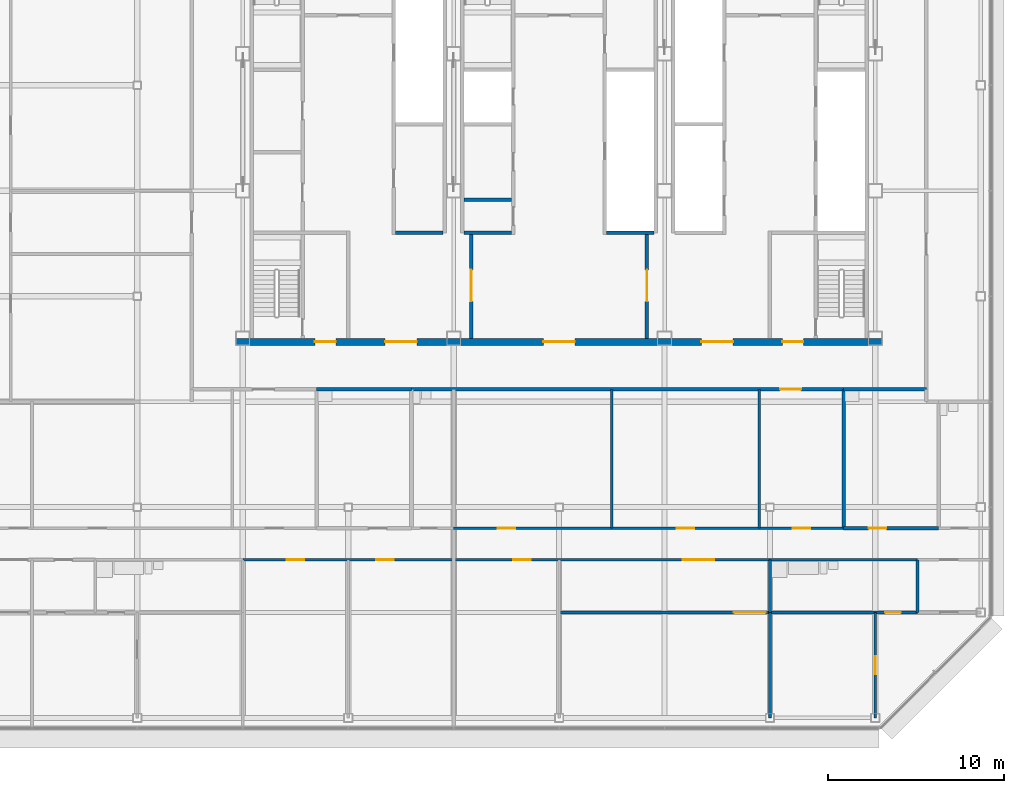
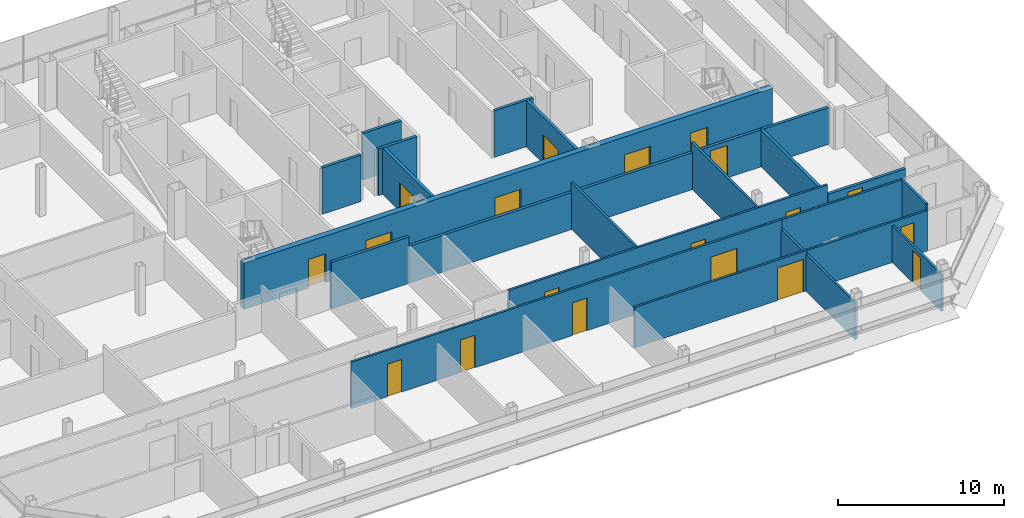
# One storey, part 22 of 27: 23 walls, 19 doors, 19 openings.
"""IFC4 building model written with IfcOpenShell, lengths in metres."""

from ifc_helpers import new_model, si_unit, direction, frame, frame_2d, origin, place, context, subcontext, project, spatial, rectangle, extrude, material, layer, layer_set, type_object, element, fill, save


model = new_model("IFC4")

# Units and contexts
model_context = context("Model", 3, precision=1e-05, world=origin(), true_north=direction((0.0, 1.0)))
body_context = subcontext(model_context, "Body", "Model", "MODEL_VIEW")
ifc_project = project(units=[si_unit("LENGTHUNIT", "METRE"), si_unit("AREAUNIT", "SQUARE_METRE"), si_unit("VOLUMEUNIT", "CUBIC_METRE"), si_unit("PLANEANGLEUNIT", "RADIAN"), si_unit("MASSUNIT", "GRAM", prefix="KILO")], contexts=[model_context])

# Site, building, storey
site_placement = place(None, origin())
site = spatial("IfcSite", under=ifc_project, at=site_placement, CompositionType="ELEMENT")
building_placement = place(site_placement, origin())
building = spatial("IfcBuilding", under=site, at=building_placement, Name="Sorahane Residences", CompositionType="ELEMENT")
storey_placement = place(building_placement, frame((0.0, 0.0, 312.39990234375)))
storey = spatial("IfcBuildingStorey", under=building, at=storey_placement, Name="L74", CompositionType="ELEMENT", Elevation=312.39990234375)

# Wall, opening, door
ifc_material_1 = material(Name="Concrete blockwork C20 wall", Category="masonry")
ifc_layer_1 = layer(ifc_material_1, 0.199951171875)
ifc_layer_set_1 = layer_set([ifc_layer_1], Name="Corridor wall 200 EI 120")
wall_type_1 = type_object("IfcWallType", Name="Corridor wall 200 EI 120", PredefinedType="SOLIDWALL", material=ifc_layer_set_1)
wall_1_placement = place(storey_placement, frame((15.60009765625, 18.699951171875, 0.0), z_axis=(0.0, 0.0, 1.0), x_axis=(1.0, 0.0, 0.0)))
wall_1 = element("IfcWall", 1, at=wall_1_placement, inside=storey, type_object=wall_type_1, Name="L74 corridor wall", PredefinedType="SOLIDWALL", context=body_context, shape_type="SweptSolid", body=[
    extrude(rectangle(XDim=24.599853515625, YDim=0.199951171875, at=frame_2d((12.2998046875, 0.0))), origin(), (0.0, 0.0, 1.0), 2.72021484375),
])
opening_1_placement = place(wall_1_placement, frame((20.97998046875, 0.0, 0.0)))
opening_1 = element("IfcOpeningElement", 2, at=opening_1_placement, cuts=wall_1, Name="Opening L74-39", PredefinedType="OPENING", context=body_context, shape_type="SweptSolid", body=[
    extrude(rectangle(XDim=1.199951171875, YDim=2.39990234375, at=frame_2d((0.60009765625, 1.199951171875))), frame((0.0, 0.10986328125, 0.0), z_axis=(0.0, -1.0, 0.0), x_axis=(1.0, 0.0, 0.0)), (0.0, 0.0, 1.0), 0.219970703125),
])
ifc_material_2 = material(Name="Timber veneered fire door", Category="wood")
door_type_1 = type_object("IfcDoorType", Name="Flat entrance door 1200x2400 FD60", OperationType="NOTDEFINED", PredefinedType="DOOR", material=ifc_material_2)
door_1_placement = place(opening_1_placement, frame((1.199951171875, 0.0, 0.0), z_axis=(0.0, 0.0, 1.0), x_axis=(-1.0, 0.0, 0.0)))
door_1 = element("IfcDoor", 3, at=door_1_placement, inside=storey, type_object=door_type_1, Name="Flat entrance door L74-39", OperationType="SINGLE_SWING_RIGHT", OverallHeight=2.39990234375, OverallWidth=1.199951171875, PredefinedType="DOOR", context=body_context, shape_type="SweptSolid", body=[
    extrude(rectangle(XDim=1.199951171875, YDim=2.39990234375, at=frame_2d((0.60009765625, 1.199951171875))), frame((0.0, 0.02490234375, 0.0), z_axis=(0.0, -1.0, 0.0), x_axis=(1.0, 0.0, 0.0)), (0.0, 0.0, 1.0), 0.050048828125),
])
fill(opening_1, door_1)

# Wall
ifc_material_3 = material(Name="Concrete blockwork C20 wall", Category="masonry")
ifc_layer_2 = layer(ifc_material_3, 0.199951171875)
ifc_layer_set_2 = layer_set([ifc_layer_2], Name="Kitchen wall 200 EI 180")
wall_type_2 = type_object("IfcWallType", Name="Kitchen wall 200 EI 180", PredefinedType="SOLIDWALL", material=ifc_layer_set_2)
wall_2_placement = place(storey_placement, frame((40.199951171875, 10.800048828125, 0.0), z_axis=(0.0, 0.0, 1.0), x_axis=(0.0, 1.0, 0.0)))
element("IfcWall", 4, at=wall_2_placement, inside=storey, type_object=wall_type_2, Name="L74 kitchen wall", PredefinedType="SOLIDWALL", context=body_context, shape_type="SweptSolid", body=[
    extrude(rectangle(XDim=7.89990234375, YDim=0.199951171875, at=frame_2d((3.949951171875, 0.0))), origin(), (0.0, 0.0, 1.0), 2.72021484375),
])

# Wall, opening, door
wall_3_placement = place(storey_placement, frame((40.199951171875, 10.800048828125, 0.0), z_axis=(0.0, 0.0, 1.0), x_axis=(1.0, 0.0, 0.0)))
wall_3 = element("IfcWall", 5, at=wall_3_placement, inside=storey, type_object=wall_type_2, Name="L74 kitchen wall", PredefinedType="SOLIDWALL", context=body_context, shape_type="SweptSolid", body=[
    extrude(rectangle(XDim=5.400146484375, YDim=0.199951171875, at=frame_2d((2.7001953125, 0.0))), origin(), (0.0, 0.0, 1.0), 2.72021484375),
])
opening_2_placement = place(wall_3_placement, frame((1.419921875, 0.0, 0.0)))
opening_2 = element("IfcOpeningElement", 6, at=opening_2_placement, cuts=wall_3, Name="Opening L74-17", PredefinedType="OPENING", context=body_context, shape_type="SweptSolid", body=[
    extrude(rectangle(XDim=1.0, YDim=2.39990234375, at=frame_2d((0.5, 1.199951171875))), frame((0.0, 0.10986328125, 0.0), z_axis=(0.0, -1.0, 0.0), x_axis=(1.0, 0.0, 0.0)), (0.0, 0.0, 1.0), 0.219970703125),
])
ifc_material_4 = material(Name="Steel", Category="steel")
door_type_2 = type_object("IfcDoorType", Name="Kitchen door 1000x2400 FD120", OperationType="NOTDEFINED", PredefinedType="DOOR", material=ifc_material_4)
door_2_placement = place(opening_2_placement, origin())
door_2 = element("IfcDoor", 7, at=door_2_placement, inside=storey, type_object=door_type_2, Name="Kitchen door L74-17", OperationType="SINGLE_SWING_RIGHT", OverallHeight=2.39990234375, OverallWidth=1.0, PredefinedType="DOOR", context=body_context, shape_type="SweptSolid", body=[
    extrude(rectangle(XDim=1.0, YDim=2.39990234375, at=frame_2d((0.5, 1.199951171875))), frame((0.0, 0.02490234375, 0.0), z_axis=(0.0, -1.0, 0.0), x_axis=(1.0, 0.0, 0.0)), (0.0, 0.0, 1.0), 0.050048828125),
])
fill(opening_2, door_2)

# Walls
wall_4_placement = place(storey_placement, frame((10.199951171875, 18.699951171875, 0.0), z_axis=(0.0, 0.0, 1.0), x_axis=(1.0, 0.0, 0.0)))
element("IfcWall", 8, at=wall_4_placement, inside=storey, type_object=wall_type_2, Name="L74 kitchen wall", PredefinedType="SOLIDWALL", context=body_context, shape_type="SweptSolid", body=[
    extrude(rectangle(XDim=5.400146484375, YDim=0.199951171875, at=frame_2d((2.7001953125, 0.0))), origin(), (0.0, 0.0, 1.0), 3.420166015625),
])
wall_5_placement = place(storey_placement, frame((40.199951171875, 18.699951171875, 0.0), z_axis=(0.0, 0.0, 1.0), x_axis=(1.0, 0.0, 0.0)))
element("IfcWall", 9, at=wall_5_placement, inside=storey, type_object=wall_type_2, Name="L74 kitchen wall", PredefinedType="SOLIDWALL", context=body_context, shape_type="SweptSolid", body=[
    extrude(rectangle(XDim=4.699951171875, YDim=0.199951171875, at=frame_2d((2.35009765625, 0.0))), origin(), (0.0, 0.0, 1.0), 2.72021484375),
])
ifc_material_5 = material(Name="Gypsum board partition on steel studs", Category="steel")
ifc_layer_3 = layer(ifc_material_5, 0.14990234375)
ifc_layer_set_3 = layer_set([ifc_layer_3], Name="Partition 150 EI 90")
wall_type_3 = type_object("IfcWallType", Name="Partition 150 EI 90", PredefinedType="PARTITIONING", material=ifc_layer_set_3)
for number, where, z_axis, x_axis, name in (
    (10, (27.0, 10.800048828125, 0.0), (0.0, 0.0, 1.0), (0.0, 1.0, 0.0), "L74 partition"),
    (11, (35.39990234375, 10.800048828125, 0.0), (0.0, 0.0, 1.0), (0.0, 1.0, 0.0), "L74 partition"),
):
    element("IfcWall", number, at=place(storey_placement, frame(where, z_axis=z_axis, x_axis=x_axis)), inside=storey, type_object=wall_type_3, Name=name, PredefinedType="PARTITIONING", context=body_context, shape_type="SweptSolid", body=[
        extrude(rectangle(XDim=7.89990234375, YDim=0.14990234375, at=frame_2d((3.949951171875, 0.0))), origin(), (0.0, 0.0, 1.0), 3.420166015625),
    ])
wall_6_placement = place(storey_placement, frame((36.0, 0.0, 0.0), z_axis=(0.0, 0.0, 1.0), x_axis=(0.0, 1.0, 0.0)))
element("IfcWall", 12, at=wall_6_placement, inside=storey, type_object=wall_type_3, Name="L74 partition", PredefinedType="PARTITIONING", context=body_context, shape_type="SweptSolid", body=[
    extrude(rectangle(XDim=6.0, YDim=0.14990234375, at=frame_2d((3.0, 0.0))), origin(), (0.0, 0.0, 1.0), 2.72021484375),
])

# Wall, opening, door
wall_7_placement = place(storey_placement, frame((42.0, 0.0, 0.0), z_axis=(0.0, 0.0, 1.0), x_axis=(0.0, 1.0, 0.0)))
wall_7 = element("IfcWall", 13, at=wall_7_placement, inside=storey, type_object=wall_type_3, Name="L74 partition", PredefinedType="PARTITIONING", context=body_context, shape_type="SweptSolid", body=[
    extrude(rectangle(XDim=6.0, YDim=0.14990234375, at=frame_2d((3.0, 0.0))), origin(), (0.0, 0.0, 1.0), 2.72021484375),
])
opening_3_placement = place(wall_7_placement, frame((2.5, 0.0, 0.0)))
opening_3 = element("IfcOpeningElement", 14, at=opening_3_placement, cuts=wall_7, Name="Opening L74-24", PredefinedType="OPENING", context=body_context, shape_type="SweptSolid", body=[
    extrude(rectangle(XDim=1.0, YDim=2.39990234375, at=frame_2d((0.5, 1.199951171875))), frame((0.0, 0.0849609375, 0.0), z_axis=(0.0, -1.0, 0.0), x_axis=(1.0, 0.0, 0.0)), (0.0, 0.0, 1.0), 0.169921875),
])
ifc_material_6 = material(Name="Timber veneered fire door", Category="wood")
door_type_3 = type_object("IfcDoorType", Name="Room door 1000x2400 FD30", OperationType="NOTDEFINED", PredefinedType="DOOR", material=ifc_material_6)
door_3_placement = place(opening_3_placement, origin())
door_3 = element("IfcDoor", 15, at=door_3_placement, inside=storey, type_object=door_type_3, Name="Room door L74-24", OperationType="SINGLE_SWING_LEFT", OverallHeight=2.39990234375, OverallWidth=1.0, PredefinedType="DOOR", context=body_context, shape_type="SweptSolid", body=[
    extrude(rectangle(XDim=1.0, YDim=2.39990234375, at=frame_2d((0.5, 1.199951171875))), frame((0.0, 0.02490234375, 0.0), z_axis=(0.0, -1.0, 0.0), x_axis=(1.0, 0.0, 0.0)), (0.0, 0.0, 1.0), 0.050048828125),
])
fill(opening_3, door_3)

# Wall, openings, doors
wall_8_placement = place(storey_placement, frame((18.0, 10.800048828125, 0.0), z_axis=(0.0, 0.0, 1.0), x_axis=(1.0, 0.0, 0.0)))
wall_8 = element("IfcWall", 16, at=wall_8_placement, inside=storey, type_object=wall_type_3, Name="L74 partition", PredefinedType="PARTITIONING", context=body_context, shape_type="SweptSolid", body=[
    extrude(rectangle(XDim=22.199951171875, YDim=0.14990234375, at=frame_2d((11.10009765625, 0.0))), origin(), (0.0, 0.0, 1.0), 3.420166015625),
])
opening_4_placement = place(wall_8_placement, frame((19.300048828125, 0.0, 0.0)))
opening_4 = element("IfcOpeningElement", 17, at=opening_4_placement, cuts=wall_8, Name="Opening L74-14", PredefinedType="OPENING", context=body_context, shape_type="SweptSolid", body=[
    extrude(rectangle(XDim=1.0, YDim=2.39990234375, at=frame_2d((0.5, 1.199951171875))), frame((0.0, 0.0849609375, 0.0), z_axis=(0.0, -1.0, 0.0), x_axis=(1.0, 0.0, 0.0)), (0.0, 0.0, 1.0), 0.169921875),
])
opening_5_placement = place(wall_8_placement, frame((2.5, 0.0, 0.0)))
opening_5 = element("IfcOpeningElement", 18, at=opening_5_placement, cuts=wall_8, Name="Opening L74-15", PredefinedType="OPENING", context=body_context, shape_type="SweptSolid", body=[
    extrude(rectangle(XDim=1.0, YDim=2.39990234375, at=frame_2d((0.5, 1.199951171875))), frame((0.0, 0.0849609375, 0.0), z_axis=(0.0, -1.0, 0.0), x_axis=(1.0, 0.0, 0.0)), (0.0, 0.0, 1.0), 0.169921875),
])
opening_6_placement = place(wall_8_placement, frame((12.699951171875, 0.0, 0.0)))
opening_6 = element("IfcOpeningElement", 19, at=opening_6_placement, cuts=wall_8, Name="Opening L74-16", PredefinedType="OPENING", context=body_context, shape_type="SweptSolid", body=[
    extrude(rectangle(XDim=1.0, YDim=2.39990234375, at=frame_2d((0.5, 1.199951171875))), frame((0.0, 0.0849609375, 0.0), z_axis=(0.0, -1.0, 0.0), x_axis=(1.0, 0.0, 0.0)), (0.0, 0.0, 1.0), 0.169921875),
])
door_4_placement = place(opening_4_placement, frame((1.0, 0.0, 0.0), z_axis=(0.0, 0.0, 1.0), x_axis=(-1.0, 0.0, 0.0)))
door_4 = element("IfcDoor", 20, at=door_4_placement, inside=storey, type_object=door_type_3, Name="Room door L74-14", OperationType="SINGLE_SWING_LEFT", OverallHeight=2.39990234375, OverallWidth=1.0, PredefinedType="DOOR", context=body_context, shape_type="SweptSolid", body=[
    extrude(rectangle(XDim=1.0, YDim=2.39990234375, at=frame_2d((0.5, 1.199951171875))), frame((0.0, 0.02490234375, 0.0), z_axis=(0.0, -1.0, 0.0), x_axis=(1.0, 0.0, 0.0)), (0.0, 0.0, 1.0), 0.050048828125),
])
fill(opening_4, door_4)
door_5_placement = place(opening_5_placement, origin())
door_5 = element("IfcDoor", 21, at=door_5_placement, inside=storey, type_object=door_type_3, Name="Room door L74-15", OperationType="SINGLE_SWING_LEFT", OverallHeight=2.39990234375, OverallWidth=1.0, PredefinedType="DOOR", context=body_context, shape_type="SweptSolid", body=[
    extrude(rectangle(XDim=1.0, YDim=2.39990234375, at=frame_2d((0.5, 1.199951171875))), frame((0.0, 0.02490234375, 0.0), z_axis=(0.0, -1.0, 0.0), x_axis=(1.0, 0.0, 0.0)), (0.0, 0.0, 1.0), 0.050048828125),
])
fill(opening_5, door_5)
door_6_placement = place(opening_6_placement, origin())
door_6 = element("IfcDoor", 22, at=door_6_placement, inside=storey, type_object=door_type_3, Name="Room door L74-16", OperationType="SINGLE_SWING_LEFT", OverallHeight=2.39990234375, OverallWidth=1.0, PredefinedType="DOOR", context=body_context, shape_type="SweptSolid", body=[
    extrude(rectangle(XDim=1.0, YDim=2.39990234375, at=frame_2d((0.5, 1.199951171875))), frame((0.0, 0.02490234375, 0.0), z_axis=(0.0, -1.0, 0.0), x_axis=(1.0, 0.0, 0.0)), (0.0, 0.0, 1.0), 0.050048828125),
])
fill(opening_6, door_6)

# Wall, opening, door
wall_9_placement = place(storey_placement, frame((24.0, 6.0, 0.0), z_axis=(0.0, 0.0, 1.0), x_axis=(1.0, 0.0, 0.0)))
wall_9 = element("IfcWall", 23, at=wall_9_placement, inside=storey, type_object=wall_type_3, Name="L74 partition", PredefinedType="PARTITIONING", context=body_context, shape_type="SweptSolid", body=[
    extrude(rectangle(XDim=12.0, YDim=0.14990234375, at=frame_2d((6.0, 0.0))), origin(), (0.0, 0.0, 1.0), 2.97021484375),
])
opening_7_placement = place(wall_9_placement, frame((9.949951171875, 0.0, 0.0)))
opening_7 = element("IfcOpeningElement", 24, at=opening_7_placement, cuts=wall_9, Name="Opening L74-22", PredefinedType="OPENING", context=body_context, shape_type="SweptSolid", body=[
    extrude(rectangle(XDim=1.800048828125, YDim=2.39990234375, at=frame_2d((0.89990234375, 1.199951171875))), frame((0.0, 0.0849609375, 0.0), z_axis=(0.0, -1.0, 0.0), x_axis=(1.0, 0.0, 0.0)), (0.0, 0.0, 1.0), 0.169921875),
])
ifc_material_7 = material(Name="Timber veneered fire door", Category="wood")
door_type_4 = type_object("IfcDoorType", Name="Double door 1800x2400 FD30", OperationType="NOTDEFINED", PredefinedType="DOOR", material=ifc_material_7)
door_7_placement = place(opening_7_placement, frame((1.800048828125, 0.0, 0.0), z_axis=(0.0, 0.0, 1.0), x_axis=(-1.0, 0.0, 0.0)))
door_7 = element("IfcDoor", 25, at=door_7_placement, inside=storey, type_object=door_type_4, Name="Double door L74-22", OperationType="SINGLE_SWING_LEFT", OverallHeight=2.39990234375, OverallWidth=1.800048828125, PredefinedType="DOOR", context=body_context, shape_type="SweptSolid", body=[
    extrude(rectangle(XDim=1.800048828125, YDim=2.39990234375, at=frame_2d((0.89990234375, 1.199951171875))), frame((0.0, 0.02490234375, 0.0), z_axis=(0.0, -1.0, 0.0), x_axis=(1.0, 0.0, 0.0)), (0.0, 0.0, 1.0), 0.050048828125),
])
fill(opening_7, door_7)

# Wall, openings, doors
wall_10_placement = place(storey_placement, frame((6.0, 9.0, 0.0), z_axis=(0.0, 0.0, 1.0), x_axis=(1.0, 0.0, 0.0)))
wall_10 = element("IfcWall", 26, at=wall_10_placement, inside=storey, type_object=wall_type_3, Name="L74 partition", PredefinedType="PARTITIONING", context=body_context, shape_type="SweptSolid", body=[
    extrude(rectangle(XDim=30.0, YDim=0.14990234375, at=frame_2d((15.0, 0.0))), origin(), (0.0, 0.0, 1.0), 3.420166015625),
])
opening_8_placement = place(wall_10_placement, frame((2.5, 0.0, 0.0)))
opening_8 = element("IfcOpeningElement", 27, at=opening_8_placement, cuts=wall_10, Name="Opening L74-08", PredefinedType="OPENING", context=body_context, shape_type="SweptSolid", body=[
    extrude(rectangle(XDim=1.0, YDim=2.39990234375, at=frame_2d((0.5, 1.199951171875))), frame((0.0, 0.0849609375, 0.0), z_axis=(0.0, -1.0, 0.0), x_axis=(1.0, 0.0, 0.0)), (0.0, 0.0, 1.0), 0.169921875),
])
opening_9_placement = place(wall_10_placement, frame((7.60009765625, 0.0, 0.0)))
opening_9 = element("IfcOpeningElement", 28, at=opening_9_placement, cuts=wall_10, Name="Opening L74-09", PredefinedType="OPENING", context=body_context, shape_type="SweptSolid", body=[
    extrude(rectangle(XDim=1.0, YDim=2.39990234375, at=frame_2d((0.5, 1.199951171875))), frame((0.0, 0.0849609375, 0.0), z_axis=(0.0, -1.0, 0.0), x_axis=(1.0, 0.0, 0.0)), (0.0, 0.0, 1.0), 0.169921875),
])
opening_10_placement = place(wall_10_placement, frame((15.39990234375, 0.0, 0.0)))
opening_10 = element("IfcOpeningElement", 29, at=opening_10_placement, cuts=wall_10, Name="Opening L74-19", PredefinedType="OPENING", context=body_context, shape_type="SweptSolid", body=[
    extrude(rectangle(XDim=1.0, YDim=2.39990234375, at=frame_2d((0.5, 1.199951171875))), frame((0.0, 0.0849609375, 0.0), z_axis=(0.0, -1.0, 0.0), x_axis=(1.0, 0.0, 0.0)), (0.0, 0.0, 1.0), 0.169921875),
])
opening_11_placement = place(wall_10_placement, frame((25.0400390625, 0.0, 0.0)))
opening_11 = element("IfcOpeningElement", 30, at=opening_11_placement, cuts=wall_10, Name="Opening L74-20", PredefinedType="OPENING", context=body_context, shape_type="SweptSolid", body=[
    extrude(rectangle(XDim=1.800048828125, YDim=2.39990234375, at=frame_2d((0.89990234375, 1.199951171875))), frame((0.0, 0.0849609375, 0.0), z_axis=(0.0, -1.0, 0.0), x_axis=(1.0, 0.0, 0.0)), (0.0, 0.0, 1.0), 0.169921875),
])
door_8_placement = place(opening_11_placement, frame((1.800048828125, 0.0, 0.0), z_axis=(0.0, 0.0, 1.0), x_axis=(-1.0, 0.0, 0.0)))
door_8 = element("IfcDoor", 31, at=door_8_placement, inside=storey, type_object=door_type_4, Name="Double door L74-20", OperationType="SINGLE_SWING_RIGHT", OverallHeight=2.39990234375, OverallWidth=1.800048828125, PredefinedType="DOOR", context=body_context, shape_type="SweptSolid", body=[
    extrude(rectangle(XDim=1.800048828125, YDim=2.39990234375, at=frame_2d((0.89990234375, 1.199951171875))), frame((0.0, 0.02490234375, 0.0), z_axis=(0.0, -1.0, 0.0), x_axis=(1.0, 0.0, 0.0)), (0.0, 0.0, 1.0), 0.050048828125),
])
fill(opening_11, door_8)
door_9_placement = place(opening_8_placement, frame((1.0, 0.0, 0.0), z_axis=(0.0, 0.0, 1.0), x_axis=(-1.0, 0.0, 0.0)))
door_9 = element("IfcDoor", 32, at=door_9_placement, inside=storey, type_object=door_type_3, Name="Room door L74-08", OperationType="SINGLE_SWING_LEFT", OverallHeight=2.39990234375, OverallWidth=1.0, PredefinedType="DOOR", context=body_context, shape_type="SweptSolid", body=[
    extrude(rectangle(XDim=1.0, YDim=2.39990234375, at=frame_2d((0.5, 1.199951171875))), frame((0.0, 0.02490234375, 0.0), z_axis=(0.0, -1.0, 0.0), x_axis=(1.0, 0.0, 0.0)), (0.0, 0.0, 1.0), 0.050048828125),
])
fill(opening_8, door_9)
door_10_placement = place(opening_9_placement, frame((1.0, 0.0, 0.0), z_axis=(0.0, 0.0, 1.0), x_axis=(-1.0, 0.0, 0.0)))
door_10 = element("IfcDoor", 33, at=door_10_placement, inside=storey, type_object=door_type_3, Name="Room door L74-09", OperationType="SINGLE_SWING_RIGHT", OverallHeight=2.39990234375, OverallWidth=1.0, PredefinedType="DOOR", context=body_context, shape_type="SweptSolid", body=[
    extrude(rectangle(XDim=1.0, YDim=2.39990234375, at=frame_2d((0.5, 1.199951171875))), frame((0.0, 0.02490234375, 0.0), z_axis=(0.0, -1.0, 0.0), x_axis=(1.0, 0.0, 0.0)), (0.0, 0.0, 1.0), 0.050048828125),
])
fill(opening_9, door_10)
door_11_placement = place(opening_10_placement, frame((1.0, 0.0, 0.0), z_axis=(0.0, 0.0, 1.0), x_axis=(-1.0, 0.0, 0.0)))
door_11 = element("IfcDoor", 34, at=door_11_placement, inside=storey, type_object=door_type_3, Name="Room door L74-19", OperationType="SINGLE_SWING_LEFT", OverallHeight=2.39990234375, OverallWidth=1.0, PredefinedType="DOOR", context=body_context, shape_type="SweptSolid", body=[
    extrude(rectangle(XDim=1.0, YDim=2.39990234375, at=frame_2d((0.5, 1.199951171875))), frame((0.0, 0.02490234375, 0.0), z_axis=(0.0, -1.0, 0.0), x_axis=(1.0, 0.0, 0.0)), (0.0, 0.0, 1.0), 0.050048828125),
])
fill(opening_10, door_11)

# Wall
ifc_material_8 = material(Name="Concrete C30", Category="concrete")
ifc_layer_4 = layer(ifc_material_8, 0.199951171875)
ifc_layer_set_4 = layer_set([ifc_layer_4], Name="Riser shaft wall 200 EI 120")
wall_type_4 = type_object("IfcWallType", Name="Riser shaft wall 200 EI 120", PredefinedType="SOLIDWALL", material=ifc_layer_set_4)
wall_11_placement = place(storey_placement, frame((26.699951171875, 27.60009765625, 0.0), z_axis=(0.0, 0.0, 1.0), x_axis=(1.0, 0.0, 0.0)))
element("IfcWall", 35, at=wall_11_placement, inside=storey, type_object=wall_type_4, Name="L74 riser wall", PredefinedType="SOLIDWALL", context=body_context, shape_type="SweptSolid", body=[
    extrude(rectangle(XDim=2.699951171875, YDim=0.199951171875, at=frame_2d((1.35009765625, 0.0))), origin(), (0.0, 0.0, 1.0), 3.420166015625),
])

# Wall, opening, door
ifc_material_9 = material(Name="Concrete C30", Category="concrete")
ifc_layer_5 = layer(ifc_material_9, 0.199951171875)
ifc_layer_set_5 = layer_set([ifc_layer_5], Name="Service room partition 200 EI 60")
wall_type_5 = type_object("IfcWallType", Name="Service room partition 200 EI 60", PredefinedType="PARTITIONING", material=ifc_layer_set_5)
wall_12_placement = place(storey_placement, frame((19.0, 21.60009765625, 0.0), z_axis=(0.0, 0.0, 1.0), x_axis=(0.0, 1.0, 0.0)))
wall_12 = element("IfcWall", 36, at=wall_12_placement, inside=storey, type_object=wall_type_5, Name="L74 service room wall", PredefinedType="PARTITIONING", context=body_context, shape_type="SweptSolid", body=[
    extrude(rectangle(XDim=6.0, YDim=0.199951171875, at=frame_2d((3.0, 0.0))), origin(), (0.0, 0.0, 1.0), 3.420166015625),
])
opening_12_placement = place(wall_12_placement, frame((2.10009765625, 0.0, 0.0)))
opening_12 = element("IfcOpeningElement", 37, at=opening_12_placement, cuts=wall_12, Name="Opening L74-C02", PredefinedType="OPENING", context=body_context, shape_type="SweptSolid", body=[
    extrude(rectangle(XDim=1.800048828125, YDim=2.10009765625, at=frame_2d((0.89990234375, 1.050048828125))), frame((0.0, 0.10986328125, 0.0), z_axis=(0.0, -1.0, 0.0), x_axis=(1.0, 0.0, 0.0)), (0.0, 0.0, 1.0), 0.219970703125),
])
ifc_material_10 = material(Name="Steel", Category="steel")
door_type_5 = type_object("IfcDoorType", Name="Waiting hall door 1800x2100 FD60", OperationType="NOTDEFINED", PredefinedType="DOOR", material=ifc_material_10)
door_12_placement = place(opening_12_placement, origin())
door_12 = element("IfcDoor", 38, at=door_12_placement, inside=storey, type_object=door_type_5, Name="Waiting hall door Residents' waiting hall west L74", OperationType="SINGLE_SWING_LEFT", OverallHeight=2.10009765625, OverallWidth=1.800048828125, PredefinedType="DOOR", context=body_context, shape_type="SweptSolid", body=[
    extrude(rectangle(XDim=1.800048828125, YDim=2.10009765625, at=frame_2d((0.89990234375, 1.050048828125))), frame((0.0, 0.02490234375, 0.0), z_axis=(0.0, -1.0, 0.0), x_axis=(1.0, 0.0, 0.0)), (0.0, 0.0, 1.0), 0.050048828125),
])
fill(opening_12, door_12)

wall_13_placement = place(storey_placement, frame((29.0, 21.60009765625, 0.0), z_axis=(0.0, 0.0, 1.0), x_axis=(0.0, 1.0, 0.0)))
wall_13 = element("IfcWall", 39, at=wall_13_placement, inside=storey, type_object=wall_type_5, Name="L74 service room wall", PredefinedType="PARTITIONING", context=body_context, shape_type="SweptSolid", body=[
    extrude(rectangle(XDim=6.0, YDim=0.199951171875, at=frame_2d((3.0, 0.0))), origin(), (0.0, 0.0, 1.0), 3.420166015625),
])
opening_13_placement = place(wall_13_placement, frame((2.10009765625, 0.0, 0.0)))
opening_13 = element("IfcOpeningElement", 40, at=opening_13_placement, cuts=wall_13, Name="Opening L74-C04", PredefinedType="OPENING", context=body_context, shape_type="SweptSolid", body=[
    extrude(rectangle(XDim=1.800048828125, YDim=2.10009765625, at=frame_2d((0.89990234375, 1.050048828125))), frame((0.0, 0.10986328125, 0.0), z_axis=(0.0, -1.0, 0.0), x_axis=(1.0, 0.0, 0.0)), (0.0, 0.0, 1.0), 0.219970703125),
])
door_13_placement = place(opening_13_placement, origin())
door_13 = element("IfcDoor", 41, at=door_13_placement, inside=storey, type_object=door_type_5, Name="Waiting hall door Residents' waiting hall centre L74", OperationType="SINGLE_SWING_LEFT", OverallHeight=2.10009765625, OverallWidth=1.800048828125, PredefinedType="DOOR", context=body_context, shape_type="SweptSolid", body=[
    extrude(rectangle(XDim=1.800048828125, YDim=2.10009765625, at=frame_2d((0.89990234375, 1.050048828125))), frame((0.0, 0.02490234375, 0.0), z_axis=(0.0, -1.0, 0.0), x_axis=(1.0, 0.0, 0.0)), (0.0, 0.0, 1.0), 0.050048828125),
])
fill(opening_13, door_13)

# Walls
for number, where, z_axis, x_axis, name in (
    (42, (14.699951171875, 27.60009765625, 0.0), (0.0, 0.0, 1.0), (1.0, 0.0, 0.0), "L74 service room wall"),
    (43, (18.60009765625, 27.60009765625, 0.0), (0.0, 0.0, 1.0), (1.0, 0.0, 0.0), "L74 service room wall"),
    (44, (18.60009765625, 29.5, 0.0), (0.0, 0.0, 1.0), (1.0, 0.0, 0.0), "L74 service room wall"),
):
    element("IfcWall", number, at=place(storey_placement, frame(where, z_axis=z_axis, x_axis=x_axis)), inside=storey, type_object=wall_type_5, Name=name, PredefinedType="PARTITIONING", context=body_context, shape_type="SweptSolid", body=[
        extrude(rectangle(XDim=2.699951171875, YDim=0.199951171875, at=frame_2d((1.35009765625, 0.0))), origin(), (0.0, 0.0, 1.0), 3.420166015625),
    ])

# Wall, openings, doors
ifc_material_11 = material(Name="Concrete C30", Category="concrete")
ifc_layer_6 = layer(ifc_material_11, 0.39990234375)
ifc_layer_set_6 = layer_set([ifc_layer_6], Name="Waiting hall wall 400 EI 120")
wall_type_6 = type_object("IfcWallType", Name="Waiting hall wall 400 EI 120", PredefinedType="SOLIDWALL", material=ifc_layer_set_6)
wall_14_placement = place(storey_placement, frame((5.60009765625, 21.39990234375, 0.0), z_axis=(0.0, 0.0, 1.0), x_axis=(1.0, 0.0, 0.0)))
wall_14 = element("IfcWall", 45, at=wall_14_placement, inside=storey, type_object=wall_type_6, Name="L74 waiting hall wall", PredefinedType="SOLIDWALL", context=body_context, shape_type="SweptSolid", body=[
    extrude(rectangle(XDim=36.7998046875, YDim=0.39990234375, at=frame_2d((18.39990234375, 0.0))), origin(), (0.0, 0.0, 1.0), 3.420166015625),
])
opening_14_placement = place(wall_14_placement, frame((8.5, 0.0, 0.0)))
opening_14 = element("IfcOpeningElement", 46, at=opening_14_placement, cuts=wall_14, Name="Opening L74-C01", PredefinedType="OPENING", context=body_context, shape_type="SweptSolid", body=[
    extrude(rectangle(XDim=1.800048828125, YDim=2.10009765625, at=frame_2d((0.89990234375, 1.050048828125))), frame((0.0, 0.2099609375, 0.0), z_axis=(0.0, -1.0, 0.0), x_axis=(1.0, 0.0, 0.0)), (0.0, 0.0, 1.0), 0.419921875),
])
opening_15_placement = place(wall_14_placement, frame((17.5, 0.0, 0.0)))
opening_15 = element("IfcOpeningElement", 47, at=opening_15_placement, cuts=wall_14, Name="Opening L74-C03", PredefinedType="OPENING", context=body_context, shape_type="SweptSolid", body=[
    extrude(rectangle(XDim=1.800048828125, YDim=2.10009765625, at=frame_2d((0.89990234375, 1.050048828125))), frame((0.0, 0.2099609375, 0.0), z_axis=(0.0, -1.0, 0.0), x_axis=(1.0, 0.0, 0.0)), (0.0, 0.0, 1.0), 0.419921875),
])
opening_16_placement = place(wall_14_placement, frame((26.5, 0.0, 0.0)))
opening_16 = element("IfcOpeningElement", 48, at=opening_16_placement, cuts=wall_14, Name="Opening L74-C05", PredefinedType="OPENING", context=body_context, shape_type="SweptSolid", body=[
    extrude(rectangle(XDim=1.800048828125, YDim=2.10009765625, at=frame_2d((0.89990234375, 1.050048828125))), frame((0.0, 0.2099609375, 0.0), z_axis=(0.0, -1.0, 0.0), x_axis=(1.0, 0.0, 0.0)), (0.0, 0.0, 1.0), 0.419921875),
])
opening_17_placement = place(wall_14_placement, frame((4.5, 0.0, 0.0)))
opening_17 = element("IfcOpeningElement", 49, at=opening_17_placement, cuts=wall_14, Name="Opening L74-C06", PredefinedType="OPENING", context=body_context, shape_type="SweptSolid", body=[
    extrude(rectangle(XDim=1.199951171875, YDim=2.10009765625, at=frame_2d((0.60009765625, 1.050048828125))), frame((0.0, 0.2099609375, 0.0), z_axis=(0.0, -1.0, 0.0), x_axis=(1.0, 0.0, 0.0)), (0.0, 0.0, 1.0), 0.419921875),
])
opening_18_placement = place(wall_14_placement, frame((31.10009765625, 0.0, 0.0)))
opening_18 = element("IfcOpeningElement", 50, at=opening_18_placement, cuts=wall_14, Name="Opening L74-C07", PredefinedType="OPENING", context=body_context, shape_type="SweptSolid", body=[
    extrude(rectangle(XDim=1.199951171875, YDim=2.10009765625, at=frame_2d((0.60009765625, 1.050048828125))), frame((0.0, 0.2099609375, 0.0), z_axis=(0.0, -1.0, 0.0), x_axis=(1.0, 0.0, 0.0)), (0.0, 0.0, 1.0), 0.419921875),
])
ifc_material_12 = material(Name="Steel", Category="steel")
door_type_6 = type_object("IfcDoorType", Name="Stair front room door 1200x2100 FD120", OperationType="NOTDEFINED", PredefinedType="DOOR", material=ifc_material_12)
door_14_placement = place(opening_17_placement, frame((1.199951171875, 0.0, 0.0), z_axis=(0.0, 0.0, 1.0), x_axis=(-1.0, 0.0, 0.0)))
door_14 = element("IfcDoor", 51, at=door_14_placement, inside=storey, type_object=door_type_6, Name="Stair front room door Stair S4 front room L74", OperationType="SINGLE_SWING_LEFT", OverallHeight=2.10009765625, OverallWidth=1.199951171875, PredefinedType="DOOR", context=body_context, shape_type="SweptSolid", body=[
    extrude(rectangle(XDim=1.199951171875, YDim=2.10009765625, at=frame_2d((0.60009765625, 1.050048828125))), frame((0.0, 0.02490234375, 0.0), z_axis=(0.0, -1.0, 0.0), x_axis=(1.0, 0.0, 0.0)), (0.0, 0.0, 1.0), 0.050048828125),
])
fill(opening_17, door_14)
door_15_placement = place(opening_18_placement, frame((1.199951171875, 0.0, 0.0), z_axis=(0.0, 0.0, 1.0), x_axis=(-1.0, 0.0, 0.0)))
door_15 = element("IfcDoor", 52, at=door_15_placement, inside=storey, type_object=door_type_6, Name="Stair front room door Stair S5 front room L74", OperationType="SINGLE_SWING_LEFT", OverallHeight=2.10009765625, OverallWidth=1.199951171875, PredefinedType="DOOR", context=body_context, shape_type="SweptSolid", body=[
    extrude(rectangle(XDim=1.199951171875, YDim=2.10009765625, at=frame_2d((0.60009765625, 1.050048828125))), frame((0.0, 0.02490234375, 0.0), z_axis=(0.0, -1.0, 0.0), x_axis=(1.0, 0.0, 0.0)), (0.0, 0.0, 1.0), 0.050048828125),
])
fill(opening_18, door_15)
door_16_placement = place(opening_14_placement, frame((1.800048828125, 0.0, 0.0), z_axis=(0.0, 0.0, 1.0), x_axis=(-1.0, 0.0, 0.0)))
door_16 = element("IfcDoor", 53, at=door_16_placement, inside=storey, type_object=door_type_5, Name="Waiting hall door Residents' waiting hall west L74", OperationType="SINGLE_SWING_LEFT", OverallHeight=2.10009765625, OverallWidth=1.800048828125, PredefinedType="DOOR", context=body_context, shape_type="SweptSolid", body=[
    extrude(rectangle(XDim=1.800048828125, YDim=2.10009765625, at=frame_2d((0.89990234375, 1.050048828125))), frame((0.0, 0.02490234375, 0.0), z_axis=(0.0, -1.0, 0.0), x_axis=(1.0, 0.0, 0.0)), (0.0, 0.0, 1.0), 0.050048828125),
])
fill(opening_14, door_16)
door_17_placement = place(opening_15_placement, frame((1.800048828125, 0.0, 0.0), z_axis=(0.0, 0.0, 1.0), x_axis=(-1.0, 0.0, 0.0)))
door_17 = element("IfcDoor", 54, at=door_17_placement, inside=storey, type_object=door_type_5, Name="Waiting hall door Residents' waiting hall centre L74", OperationType="SINGLE_SWING_LEFT", OverallHeight=2.10009765625, OverallWidth=1.800048828125, PredefinedType="DOOR", context=body_context, shape_type="SweptSolid", body=[
    extrude(rectangle(XDim=1.800048828125, YDim=2.10009765625, at=frame_2d((0.89990234375, 1.050048828125))), frame((0.0, 0.02490234375, 0.0), z_axis=(0.0, -1.0, 0.0), x_axis=(1.0, 0.0, 0.0)), (0.0, 0.0, 1.0), 0.050048828125),
])
fill(opening_15, door_17)
door_18_placement = place(opening_16_placement, frame((1.800048828125, 0.0, 0.0), z_axis=(0.0, 0.0, 1.0), x_axis=(-1.0, 0.0, 0.0)))
door_18 = element("IfcDoor", 55, at=door_18_placement, inside=storey, type_object=door_type_5, Name="Waiting hall door Residents' waiting hall east L74", OperationType="SINGLE_SWING_LEFT", OverallHeight=2.10009765625, OverallWidth=1.800048828125, PredefinedType="DOOR", context=body_context, shape_type="SweptSolid", body=[
    extrude(rectangle(XDim=1.800048828125, YDim=2.10009765625, at=frame_2d((0.89990234375, 1.050048828125))), frame((0.0, 0.02490234375, 0.0), z_axis=(0.0, -1.0, 0.0), x_axis=(1.0, 0.0, 0.0)), (0.0, 0.0, 1.0), 0.050048828125),
])
fill(opening_16, door_18)

# Walls
ifc_material_13 = material(Name="Gypsum board partition on steel studs", Category="steel")
ifc_layer_7 = layer(ifc_material_13, 0.14990234375)
ifc_layer_set_7 = layer_set([ifc_layer_7], Name="Wet wall 150 EI 90")
wall_type_7 = type_object("IfcWallType", Name="Wet wall 150 EI 90", PredefinedType="PARTITIONING", material=ifc_layer_set_7)
wall_15_placement = place(storey_placement, frame((36.0, 6.0, 0.0), z_axis=(0.0, 0.0, 1.0), x_axis=(0.0, 1.0, 0.0)))
element("IfcWall", 56, at=wall_15_placement, inside=storey, type_object=wall_type_7, Name="L74 wet wall", PredefinedType="PARTITIONING", context=body_context, shape_type="SweptSolid", body=[
    extrude(rectangle(XDim=3.0, YDim=0.14990234375, at=frame_2d((1.5, 0.0))), origin(), (0.0, 0.0, 1.0), 2.72021484375),
])
wall_16_placement = place(storey_placement, frame((44.39990234375, 6.0, 0.0), z_axis=(0.0, 0.0, 1.0), x_axis=(0.0, 1.0, 0.0)))
element("IfcWall", 57, at=wall_16_placement, inside=storey, type_object=wall_type_7, Name="L74 wet wall", PredefinedType="PARTITIONING", context=body_context, shape_type="SweptSolid", body=[
    extrude(rectangle(XDim=3.0, YDim=0.14990234375, at=frame_2d((1.5, 0.0))), origin(), (0.0, 0.0, 1.0), 3.420166015625),
])

# Wall, opening, door
wall_17_placement = place(storey_placement, frame((36.0, 6.0, 0.0), z_axis=(0.0, 0.0, 1.0), x_axis=(1.0, 0.0, 0.0)))
wall_17 = element("IfcWall", 58, at=wall_17_placement, inside=storey, type_object=wall_type_7, Name="L74 wet wall", PredefinedType="PARTITIONING", context=body_context, shape_type="SweptSolid", body=[
    extrude(rectangle(XDim=8.39990234375, YDim=0.14990234375, at=frame_2d((4.199951171875, 0.0))), origin(), (0.0, 0.0, 1.0), 2.97021484375),
])
opening_19_placement = place(wall_17_placement, frame((6.550048828125, 0.0, 0.0)))
opening_19 = element("IfcOpeningElement", 59, at=opening_19_placement, cuts=wall_17, Name="Opening L74-25", PredefinedType="OPENING", context=body_context, shape_type="SweptSolid", body=[
    extrude(rectangle(XDim=0.89990234375, YDim=2.39990234375, at=frame_2d((0.449951171875, 1.199951171875))), frame((0.0, 0.0849609375, 0.0), z_axis=(0.0, -1.0, 0.0), x_axis=(1.0, 0.0, 0.0)), (0.0, 0.0, 1.0), 0.169921875),
])
ifc_material_14 = material(Name="Timber veneered fire door", Category="wood")
door_type_7 = type_object("IfcDoorType", Name="Bathroom door 900x2400 FD30", OperationType="NOTDEFINED", PredefinedType="DOOR", material=ifc_material_14)
door_19_placement = place(opening_19_placement, frame((0.89990234375, 0.0, 0.0), z_axis=(0.0, 0.0, 1.0), x_axis=(-1.0, 0.0, 0.0)))
door_19 = element("IfcDoor", 60, at=door_19_placement, inside=storey, type_object=door_type_7, Name="Bathroom door L74-25", OperationType="SINGLE_SWING_LEFT", OverallHeight=2.39990234375, OverallWidth=0.89990234375, PredefinedType="DOOR", context=body_context, shape_type="SweptSolid", body=[
    extrude(rectangle(XDim=0.89990234375, YDim=2.39990234375, at=frame_2d((0.449951171875, 1.199951171875))), frame((0.0, 0.02490234375, 0.0), z_axis=(0.0, -1.0, 0.0), x_axis=(1.0, 0.0, 0.0)), (0.0, 0.0, 1.0), 0.050048828125),
])
fill(opening_19, door_19)

# Wall
wall_18_placement = place(storey_placement, frame((36.0, 9.0, 0.0), z_axis=(0.0, 0.0, 1.0), x_axis=(1.0, 0.0, 0.0)))
element("IfcWall", 61, at=wall_18_placement, inside=storey, type_object=wall_type_7, Name="L74 wet wall", PredefinedType="PARTITIONING", context=body_context, shape_type="SweptSolid", body=[
    extrude(rectangle(XDim=8.39990234375, YDim=0.14990234375, at=frame_2d((4.199951171875, 0.0))), origin(), (0.0, 0.0, 1.0), 3.420166015625),
])

save(model, "model.ifc")
